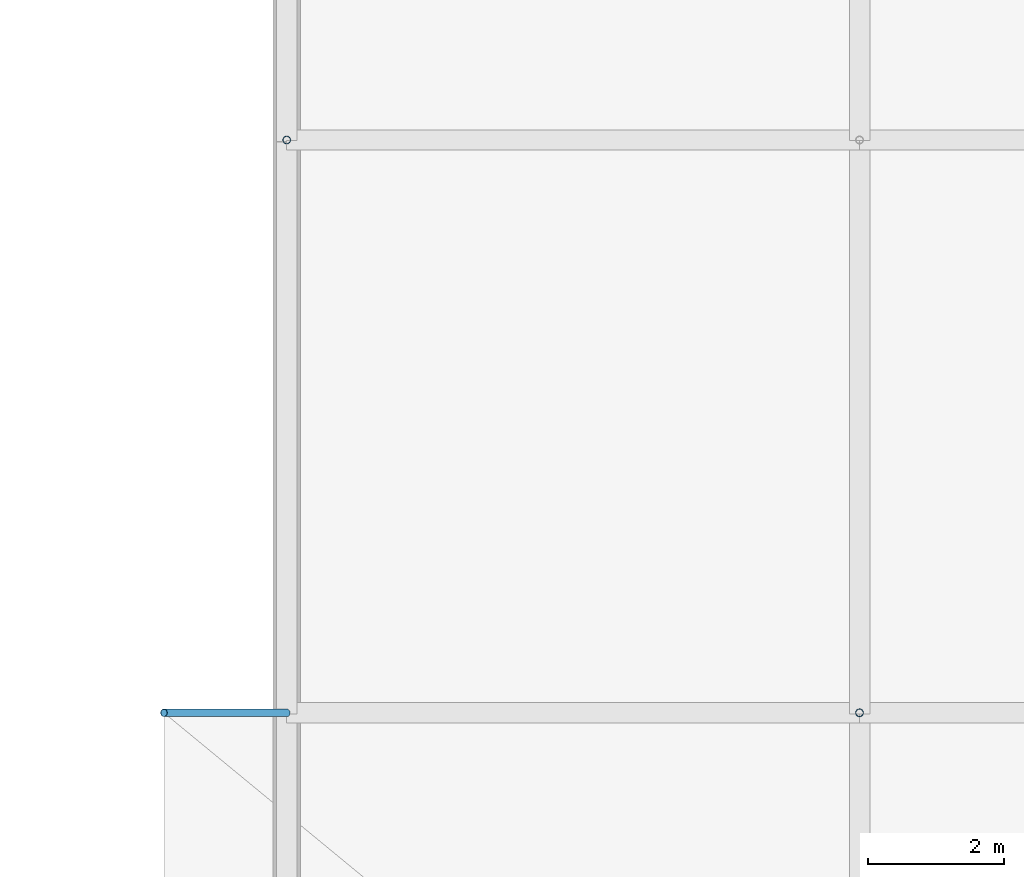
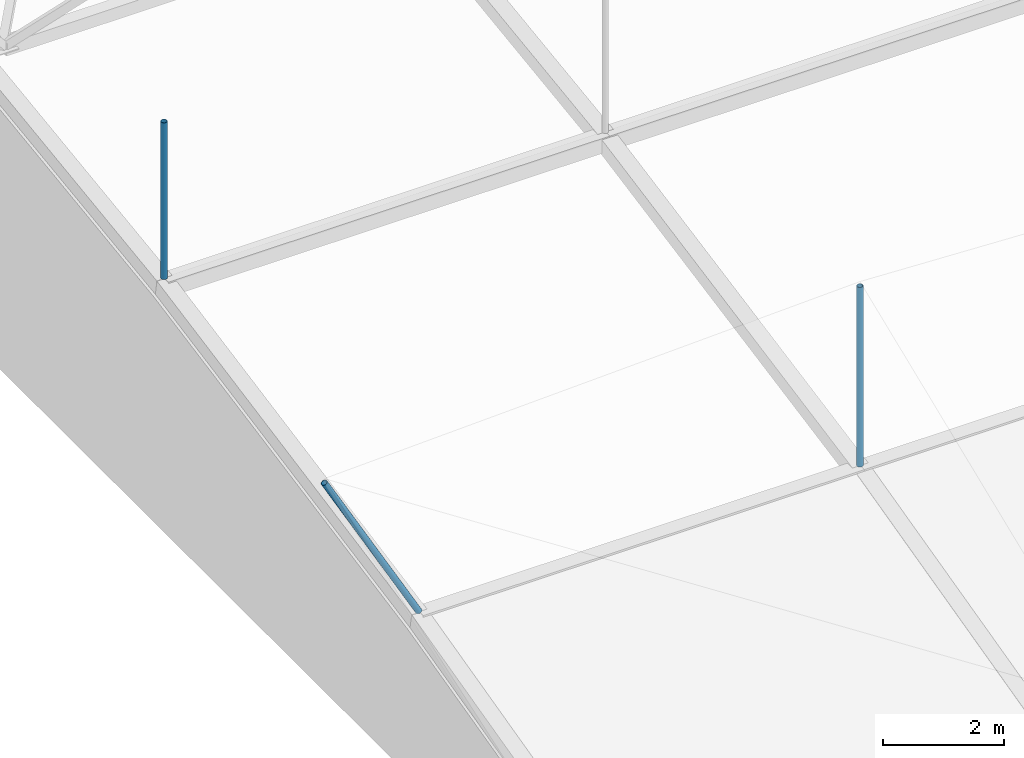
# One storey, part 24 of 111: 3 discrete accessories.
"""IFC4 building model written with IfcOpenShell, lengths in metres."""

from ifc_helpers import new_model, si_unit, direction, frame, origin, origin_2d, place, context, subcontext, project, spatial, hollow_circle, extrude, material, material_profile, profile_set, type_object, element, save


model = new_model("IFC4")

# Units and contexts
model_context = context("Model", 3, precision=1e-05, world=origin(), true_north=direction((0.0, 1.0)))
body_context = subcontext(model_context, "Body", "Model", "MODEL_VIEW")
ifc_project = project(units=[si_unit("LENGTHUNIT", "METRE"), si_unit("AREAUNIT", "SQUARE_METRE"), si_unit("VOLUMEUNIT", "CUBIC_METRE"), si_unit("PLANEANGLEUNIT", "RADIAN"), si_unit("MASSUNIT", "GRAM", prefix="KILO")], contexts=[model_context])

# Site, building, storey
site_placement = place(None, origin())
site = spatial("IfcSite", under=ifc_project, at=site_placement, CompositionType="ELEMENT")
building_placement = place(site_placement, origin())
building = spatial("IfcBuilding", under=site, at=building_placement, Name="Rain Tree Exposition and Congress Centre", CompositionType="ELEMENT")
storey_placement = place(building_placement, frame((0.0, 0.0, 19.5)))
storey = spatial("IfcBuildingStorey", under=building, at=storey_placement, Name="RF", CompositionType="ELEMENT", Elevation=19.5)

# Discrete accessories
ifc_material = material(Name="Steel S355J2H", Category="steel")
ifc_material_profile = material_profile(ifc_material, hollow_circle(Radius=0.05712890625, WallThickness=0.00439453125, at=origin_2d()), Name="CHS 114x4.5")
ifc_profile_set = profile_set([ifc_material_profile], Name="Steel S355J2H")
discrete_accessory_type = type_object("IfcDiscreteAccessoryType", Name="Roof skin post CHS 114x4.5", PredefinedType="BRACKET", material=ifc_profile_set)
discrete_accessory_1_placement = place(storey_placement, frame((8.39990234375, 117.60009765625, 3.22412109375), z_axis=(-0.488216130157, 0.0, 0.87272275681), x_axis=(0.0, -1.0, 0.0)))
element("IfcDiscreteAccessory", 1, at=discrete_accessory_1_placement, inside=storey, type_object=discrete_accessory_type, Name="Roof skin post A31", PredefinedType="BRACKET", context=body_context, shape_type="SweptSolid", body=[
    extrude(hollow_circle(Radius=0.05712890625, WallThickness=0.00439453125, at=origin_2d()), origin(), (0.0, 0.0, 1.0), 3.6865234375),
])
discrete_accessory_2_placement = place(storey_placement, frame((16.800048828125, 117.60009765625, 3.22412109375), z_axis=(0.0, 0.0, 1.0), x_axis=(1.0, 0.0, 0.0)))
element("IfcDiscreteAccessory", 2, at=discrete_accessory_2_placement, inside=storey, type_object=discrete_accessory_type, Name="Roof skin post A32", PredefinedType="BRACKET", context=body_context, shape_type="SweptSolid", body=[
    extrude(hollow_circle(Radius=0.05712890625, WallThickness=0.00439453125, at=origin_2d()), origin(), (0.0, 0.0, 1.0), 3.613525390625),
])
discrete_accessory_3_placement = place(storey_placement, frame((8.39990234375, 126.0, 4.843017578125), z_axis=(0.0, 0.0, 1.0), x_axis=(1.0, 0.0, 0.0)))
element("IfcDiscreteAccessory", 3, at=discrete_accessory_3_placement, inside=storey, type_object=discrete_accessory_type, Name="Roof skin post A46", PredefinedType="BRACKET", context=body_context, shape_type="SweptSolid", body=[
    extrude(hollow_circle(Radius=0.05712890625, WallThickness=0.00439453125, at=origin_2d()), origin(), (0.0, 0.0, 1.0), 3.154296875),
])

save(model, "model.ifc")
